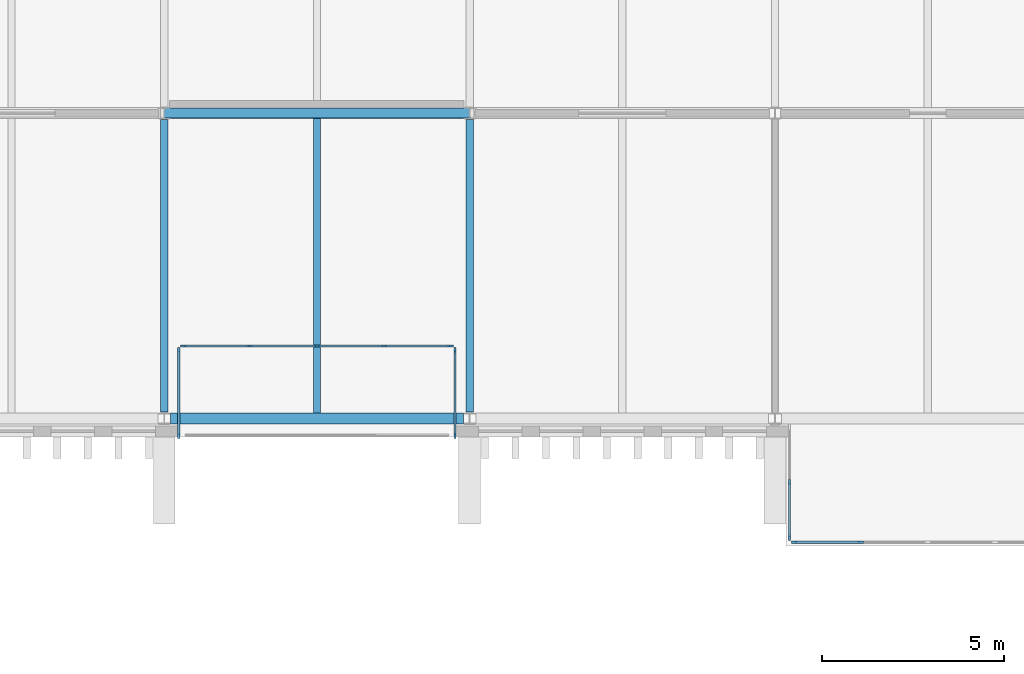
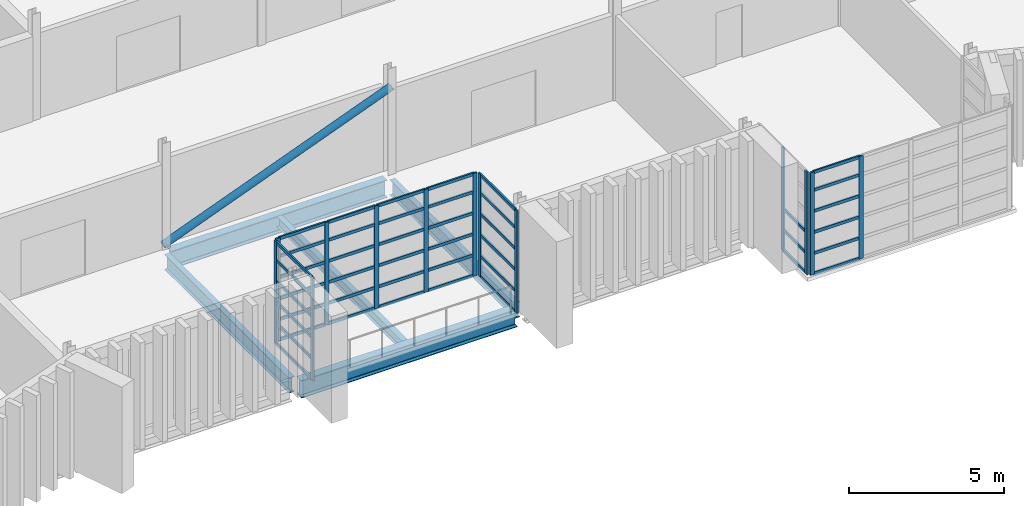
# One storey, part 22 of 100: 59 members, 5 beams, 5 elements without a shape of their own.
"""IFC4 building model written with IfcOpenShell, lengths in metres."""

from ifc_helpers import new_model, si_unit, direction, frame, origin, origin_2d, place, context, subcontext, project, spatial, rectangle, hollow_circle, i_section, extrude, material, layer, layer_set, material_profile, profile_set, type_object, element, aggregate, save


model = new_model("IFC4")

# Units and contexts
model_context = context("Model", 3, precision=1e-05, world=origin(), true_north=direction((0.0, 1.0)))
body_context = subcontext(model_context, "Body", "Model", "MODEL_VIEW")
ifc_project = project(units=[si_unit("LENGTHUNIT", "METRE"), si_unit("AREAUNIT", "SQUARE_METRE"), si_unit("VOLUMEUNIT", "CUBIC_METRE"), si_unit("PLANEANGLEUNIT", "RADIAN"), si_unit("MASSUNIT", "GRAM", prefix="KILO")], contexts=[model_context])

# Site, building, storey
site_placement = place(None, origin())
site = spatial("IfcSite", under=ifc_project, at=site_placement, CompositionType="ELEMENT")
building_placement = place(site_placement, origin())
building = spatial("IfcBuilding", under=site, at=building_placement, Name="Cresset Court Congress Hotel", CompositionType="ELEMENT")
storey_placement = place(building_placement, frame((0.0, 0.0, 10.199951171875)))
storey = spatial("IfcBuildingStorey", under=building, at=storey_placement, Name="L02", CompositionType="ELEMENT", Elevation=10.199951171875)

# Curtain wall, members
ifc_material_1 = material(Name="Aluminium frame with double glazing", Category="aluminium")
ifc_layer = layer(ifc_material_1, 0.199951171875)
ifc_layer_set = layer_set([ifc_layer], Name="Glazed box curtain wall 1680 module")
curtain_wall_type = type_object("IfcCurtainWallType", Name="Glazed box curtain wall 1680 module", PredefinedType="NOTDEFINED", material=ifc_layer_set)
curtain_wall_1_placement = place(storey_placement, origin())
curtain_wall_1 = element("IfcCurtainWall", 1, at=curtain_wall_1_placement, inside=storey, type_object=curtain_wall_type, Name="Glazed box S0210 front", PredefinedType="NOTDEFINED")
ifc_material_2 = material(Name="Aluminium", Category="aluminium")
ifc_material_profile_1 = material_profile(ifc_material_2, rectangle(XDim=0.06005859375, YDim=0.159912109375, at=origin_2d()), Name="Box mullion 60x160")
ifc_profile_set_1 = profile_set([ifc_material_profile_1], Name="Aluminium")
member_type_1 = type_object("IfcMemberType", Name="Box mullion 60x160", PredefinedType="MULLION", material=ifc_profile_set_1)
member_1_placement = place(storey_placement, frame((76.1298828125, 2.0, 0.0), z_axis=(0.0, 0.0, 1.0), x_axis=(0.0, 1.0, 0.0)))
member_1 = element("IfcMember", 2, at=member_1_placement, type_object=member_type_1, Name="B-X1 mullion 1", PredefinedType="MULLION", context=body_context, shape_type="SweptSolid", body=[
    extrude(rectangle(XDim=0.06005859375, YDim=0.159912109375, at=origin_2d()), origin(), (0.0, 0.0, 1.0), 4.050048828125),
])
member_2_placement = place(storey_placement, frame((77.949951171875, 2.0, 0.0), z_axis=(0.0, 0.0, 1.0), x_axis=(0.0, 1.0, 0.0)))
member_2 = element("IfcMember", 3, at=member_2_placement, type_object=member_type_1, Name="B-X1 mullion 2", PredefinedType="MULLION", context=body_context, shape_type="SweptSolid", body=[
    extrude(rectangle(XDim=0.06005859375, YDim=0.159912109375, at=origin_2d()), origin(), (0.0, 0.0, 1.0), 4.050048828125),
])
member_3_placement = place(storey_placement, frame((79.800048828125, 2.0, 0.0), z_axis=(0.0, 0.0, 1.0), x_axis=(0.0, 1.0, 0.0)))
member_3 = element("IfcMember", 4, at=member_3_placement, type_object=member_type_1, Name="B-X1 mullion 3", PredefinedType="MULLION", context=body_context, shape_type="SweptSolid", body=[
    extrude(rectangle(XDim=0.06005859375, YDim=0.159912109375, at=origin_2d()), origin(), (0.0, 0.0, 1.0), 4.050048828125),
])
member_4_placement = place(storey_placement, frame((81.64990234375, 2.0, 0.0), z_axis=(0.0, 0.0, 1.0), x_axis=(0.0, 1.0, 0.0)))
member_4 = element("IfcMember", 5, at=member_4_placement, type_object=member_type_1, Name="B-X1 mullion 4", PredefinedType="MULLION", context=body_context, shape_type="SweptSolid", body=[
    extrude(rectangle(XDim=0.06005859375, YDim=0.159912109375, at=origin_2d()), origin(), (0.0, 0.0, 1.0), 4.050048828125),
])
member_5_placement = place(storey_placement, frame((83.469970703125, 2.0, 0.0), z_axis=(0.0, 0.0, 1.0), x_axis=(0.0, 1.0, 0.0)))
member_5 = element("IfcMember", 6, at=member_5_placement, type_object=member_type_1, Name="B-X1 mullion 5", PredefinedType="MULLION", context=body_context, shape_type="SweptSolid", body=[
    extrude(rectangle(XDim=0.06005859375, YDim=0.159912109375, at=origin_2d()), origin(), (0.0, 0.0, 1.0), 4.050048828125),
])

curtain_wall_2_placement = place(storey_placement, origin())
curtain_wall_2 = element("IfcCurtainWall", 7, at=curtain_wall_2_placement, inside=storey, type_object=curtain_wall_type, Name="Glazed box S0210 side", PredefinedType="NOTDEFINED")
member_6_placement = place(storey_placement, frame((76.0, -0.469970703125, 0.0), z_axis=(0.0, 0.0, 1.0), x_axis=(-1.0, 0.0, 0.0)))
member_6 = element("IfcMember", 8, at=member_6_placement, type_object=member_type_1, Name="B-X1 mullion 1", PredefinedType="MULLION", context=body_context, shape_type="SweptSolid", body=[
    extrude(rectangle(XDim=0.06005859375, YDim=0.159912109375, at=origin_2d()), origin(), (0.0, 0.0, 1.0), 4.050048828125),
])
member_7_placement = place(storey_placement, frame((76.0, 1.8701171875, 0.0), z_axis=(0.0, 0.0, 1.0), x_axis=(-1.0, 0.0, 0.0)))
member_7 = element("IfcMember", 9, at=member_7_placement, type_object=member_type_1, Name="B-X1 mullion 2", PredefinedType="MULLION", context=body_context, shape_type="SweptSolid", body=[
    extrude(rectangle(XDim=0.06005859375, YDim=0.159912109375, at=origin_2d()), origin(), (0.0, 0.0, 1.0), 4.050048828125),
])

curtain_wall_3_placement = place(storey_placement, origin())
curtain_wall_3 = element("IfcCurtainWall", 10, at=curtain_wall_3_placement, inside=storey, type_object=curtain_wall_type, Name="Glazed box S0210 side", PredefinedType="NOTDEFINED")
member_8_placement = place(storey_placement, frame((83.60009765625, -0.469970703125, 0.0), z_axis=(0.0, 0.0, 1.0), x_axis=(-1.0, 0.0, 0.0)))
member_8 = element("IfcMember", 11, at=member_8_placement, type_object=member_type_1, Name="B-X1 mullion 1", PredefinedType="MULLION", context=body_context, shape_type="SweptSolid", body=[
    extrude(rectangle(XDim=0.06005859375, YDim=0.159912109375, at=origin_2d()), origin(), (0.0, 0.0, 1.0), 4.050048828125),
])
member_9_placement = place(storey_placement, frame((83.60009765625, 1.8701171875, 0.0), z_axis=(0.0, 0.0, 1.0), x_axis=(-1.0, 0.0, 0.0)))
member_9 = element("IfcMember", 12, at=member_9_placement, type_object=member_type_1, Name="B-X1 mullion 2", PredefinedType="MULLION", context=body_context, shape_type="SweptSolid", body=[
    extrude(rectangle(XDim=0.06005859375, YDim=0.159912109375, at=origin_2d()), origin(), (0.0, 0.0, 1.0), 4.050048828125),
])

curtain_wall_4_placement = place(storey_placement, origin())
curtain_wall_4 = element("IfcCurtainWall", 13, at=curtain_wall_4_placement, inside=storey, type_object=curtain_wall_type, Name="Glazed box S0213 front", PredefinedType="NOTDEFINED")
member_10_placement = place(storey_placement, frame((92.929931640625, -3.39990234375, 0.0), z_axis=(0.0, 0.0, 1.0), x_axis=(0.0, 1.0, 0.0)))
member_10 = element("IfcMember", 14, at=member_10_placement, type_object=member_type_1, Name="B-X1 mullion 1", PredefinedType="MULLION", context=body_context, shape_type="SweptSolid", body=[
    extrude(rectangle(XDim=0.06005859375, YDim=0.159912109375, at=origin_2d()), origin(), (0.0, 0.0, 1.0), 4.050048828125),
])
member_11_placement = place(storey_placement, frame((94.75, -3.39990234375, 0.0), z_axis=(0.0, 0.0, 1.0), x_axis=(0.0, 1.0, 0.0)))
member_11 = element("IfcMember", 15, at=member_11_placement, type_object=member_type_1, Name="B-X1 mullion 2", PredefinedType="MULLION", context=body_context, shape_type="SweptSolid", body=[
    extrude(rectangle(XDim=0.06005859375, YDim=0.159912109375, at=origin_2d()), origin(), (0.0, 0.0, 1.0), 4.050048828125),
])

curtain_wall_5_placement = place(storey_placement, origin())
curtain_wall_5 = element("IfcCurtainWall", 16, at=curtain_wall_5_placement, inside=storey, type_object=curtain_wall_type, Name="Glazed box S0213 side", PredefinedType="NOTDEFINED")
member_12_placement = place(storey_placement, frame((92.800048828125, -1.75, 0.0), z_axis=(0.0, 0.0, 1.0), x_axis=(1.0, 0.0, 0.0)))
member_12 = element("IfcMember", 17, at=member_12_placement, type_object=member_type_1, Name="B-X1 mullion 2", PredefinedType="MULLION", context=body_context, shape_type="SweptSolid", body=[
    extrude(rectangle(XDim=0.06005859375, YDim=0.159912109375, at=origin_2d()), origin(), (0.0, 0.0, 1.0), 4.050048828125),
])
member_13_placement = place(storey_placement, frame((92.800048828125, -3.27001953125, 0.0), z_axis=(0.0, 0.0, 1.0), x_axis=(1.0, 0.0, 0.0)))
member_13 = element("IfcMember", 18, at=member_13_placement, type_object=member_type_1, Name="B-X1 mullion 3", PredefinedType="MULLION", context=body_context, shape_type="SweptSolid", body=[
    extrude(rectangle(XDim=0.06005859375, YDim=0.159912109375, at=origin_2d()), origin(), (0.0, 0.0, 1.0), 4.050048828125),
])

# Member
ifc_material_3 = material(Name="Aluminium", Category="aluminium")
ifc_material_profile_2 = material_profile(ifc_material_3, rectangle(XDim=0.06005859375, YDim=0.1201171875, at=origin_2d()), Name="Box transom 60x120")
ifc_profile_set_2 = profile_set([ifc_material_profile_2], Name="Aluminium")
member_type_2 = type_object("IfcMemberType", Name="Box transom 60x120", PredefinedType="USERDEFINED", material=ifc_profile_set_2)
member_14_placement = place(storey_placement, frame((76.159912109375, 2.0, 0.030029296875), z_axis=(1.0, 0.0, 0.0), x_axis=(0.0, 1.0, 0.0)))
member_14 = element("IfcMember", 19, at=member_14_placement, type_object=member_type_2, Name="B-X1 transom 1.1", ObjectType="TRANSOM", PredefinedType="USERDEFINED", context=body_context, shape_type="SweptSolid", body=[
    extrude(rectangle(XDim=0.06005859375, YDim=0.1201171875, at=origin_2d()), origin(), (0.0, 0.0, 1.0), 1.760009765625),
])

member_15_placement = place(storey_placement, frame((76.159912109375, 2.0, 0.830078125), z_axis=(1.0, 0.0, 0.0), x_axis=(0.0, 1.0, 0.0)))
member_15 = element("IfcMember", 20, at=member_15_placement, type_object=member_type_2, Name="B-X1 transom 1.2", ObjectType="TRANSOM", PredefinedType="USERDEFINED", context=body_context, shape_type="SweptSolid", body=[
    extrude(rectangle(XDim=0.06005859375, YDim=0.1201171875, at=origin_2d()), origin(), (0.0, 0.0, 1.0), 1.760009765625),
])

member_16_placement = place(storey_placement, frame((76.159912109375, 2.0, 1.66015625), z_axis=(1.0, 0.0, 0.0), x_axis=(0.0, 1.0, 0.0)))
member_16 = element("IfcMember", 21, at=member_16_placement, type_object=member_type_2, Name="B-X1 transom 1.3", ObjectType="TRANSOM", PredefinedType="USERDEFINED", context=body_context, shape_type="SweptSolid", body=[
    extrude(rectangle(XDim=0.06005859375, YDim=0.1201171875, at=origin_2d()), origin(), (0.0, 0.0, 1.0), 1.760009765625),
])

member_17_placement = place(storey_placement, frame((76.159912109375, 2.0, 2.489990234375), z_axis=(1.0, 0.0, 0.0), x_axis=(0.0, 1.0, 0.0)))
member_17 = element("IfcMember", 22, at=member_17_placement, type_object=member_type_2, Name="B-X1 transom 1.4", ObjectType="TRANSOM", PredefinedType="USERDEFINED", context=body_context, shape_type="SweptSolid", body=[
    extrude(rectangle(XDim=0.06005859375, YDim=0.1201171875, at=origin_2d()), origin(), (0.0, 0.0, 1.0), 1.760009765625),
])

member_18_placement = place(storey_placement, frame((76.159912109375, 2.0, 3.320068359375), z_axis=(1.0, 0.0, 0.0), x_axis=(0.0, 1.0, 0.0)))
member_18 = element("IfcMember", 23, at=member_18_placement, type_object=member_type_2, Name="B-X1 transom 1.5", ObjectType="TRANSOM", PredefinedType="USERDEFINED", context=body_context, shape_type="SweptSolid", body=[
    extrude(rectangle(XDim=0.06005859375, YDim=0.1201171875, at=origin_2d()), origin(), (0.0, 0.0, 1.0), 1.760009765625),
])

member_19_placement = place(storey_placement, frame((76.159912109375, 2.0, 4.02001953125), z_axis=(1.0, 0.0, 0.0), x_axis=(0.0, 1.0, 0.0)))
member_19 = element("IfcMember", 24, at=member_19_placement, type_object=member_type_2, Name="B-X1 transom 1.6", ObjectType="TRANSOM", PredefinedType="USERDEFINED", context=body_context, shape_type="SweptSolid", body=[
    extrude(rectangle(XDim=0.06005859375, YDim=0.1201171875, at=origin_2d()), origin(), (0.0, 0.0, 1.0), 1.760009765625),
])

member_20_placement = place(storey_placement, frame((77.97998046875, 2.0, 0.030029296875), z_axis=(1.0, 0.0, 0.0), x_axis=(0.0, 1.0, 0.0)))
member_20 = element("IfcMember", 25, at=member_20_placement, type_object=member_type_2, Name="B-X1 transom 2.1", ObjectType="TRANSOM", PredefinedType="USERDEFINED", context=body_context, shape_type="SweptSolid", body=[
    extrude(rectangle(XDim=0.06005859375, YDim=0.1201171875, at=origin_2d()), origin(), (0.0, 0.0, 1.0), 1.7900390625),
])

member_21_placement = place(storey_placement, frame((77.97998046875, 2.0, 0.830078125), z_axis=(1.0, 0.0, 0.0), x_axis=(0.0, 1.0, 0.0)))
member_21 = element("IfcMember", 26, at=member_21_placement, type_object=member_type_2, Name="B-X1 transom 2.2", ObjectType="TRANSOM", PredefinedType="USERDEFINED", context=body_context, shape_type="SweptSolid", body=[
    extrude(rectangle(XDim=0.06005859375, YDim=0.1201171875, at=origin_2d()), origin(), (0.0, 0.0, 1.0), 1.7900390625),
])

member_22_placement = place(storey_placement, frame((77.97998046875, 2.0, 1.66015625), z_axis=(1.0, 0.0, 0.0), x_axis=(0.0, 1.0, 0.0)))
member_22 = element("IfcMember", 27, at=member_22_placement, type_object=member_type_2, Name="B-X1 transom 2.3", ObjectType="TRANSOM", PredefinedType="USERDEFINED", context=body_context, shape_type="SweptSolid", body=[
    extrude(rectangle(XDim=0.06005859375, YDim=0.1201171875, at=origin_2d()), origin(), (0.0, 0.0, 1.0), 1.7900390625),
])

member_23_placement = place(storey_placement, frame((77.97998046875, 2.0, 2.489990234375), z_axis=(1.0, 0.0, 0.0), x_axis=(0.0, 1.0, 0.0)))
member_23 = element("IfcMember", 28, at=member_23_placement, type_object=member_type_2, Name="B-X1 transom 2.4", ObjectType="TRANSOM", PredefinedType="USERDEFINED", context=body_context, shape_type="SweptSolid", body=[
    extrude(rectangle(XDim=0.06005859375, YDim=0.1201171875, at=origin_2d()), origin(), (0.0, 0.0, 1.0), 1.7900390625),
])

member_24_placement = place(storey_placement, frame((77.97998046875, 2.0, 3.320068359375), z_axis=(1.0, 0.0, 0.0), x_axis=(0.0, 1.0, 0.0)))
member_24 = element("IfcMember", 29, at=member_24_placement, type_object=member_type_2, Name="B-X1 transom 2.5", ObjectType="TRANSOM", PredefinedType="USERDEFINED", context=body_context, shape_type="SweptSolid", body=[
    extrude(rectangle(XDim=0.06005859375, YDim=0.1201171875, at=origin_2d()), origin(), (0.0, 0.0, 1.0), 1.7900390625),
])

member_25_placement = place(storey_placement, frame((77.97998046875, 2.0, 4.02001953125), z_axis=(1.0, 0.0, 0.0), x_axis=(0.0, 1.0, 0.0)))
member_25 = element("IfcMember", 30, at=member_25_placement, type_object=member_type_2, Name="B-X1 transom 2.6", ObjectType="TRANSOM", PredefinedType="USERDEFINED", context=body_context, shape_type="SweptSolid", body=[
    extrude(rectangle(XDim=0.06005859375, YDim=0.1201171875, at=origin_2d()), origin(), (0.0, 0.0, 1.0), 1.7900390625),
])

member_26_placement = place(storey_placement, frame((79.830078125, 2.0, 0.030029296875), z_axis=(1.0, 0.0, 0.0), x_axis=(0.0, 1.0, 0.0)))
member_26 = element("IfcMember", 31, at=member_26_placement, type_object=member_type_2, Name="B-X1 transom 3.1", ObjectType="TRANSOM", PredefinedType="USERDEFINED", context=body_context, shape_type="SweptSolid", body=[
    extrude(rectangle(XDim=0.06005859375, YDim=0.1201171875, at=origin_2d()), origin(), (0.0, 0.0, 1.0), 1.7900390625),
])

member_27_placement = place(storey_placement, frame((79.830078125, 2.0, 0.830078125), z_axis=(1.0, 0.0, 0.0), x_axis=(0.0, 1.0, 0.0)))
member_27 = element("IfcMember", 32, at=member_27_placement, type_object=member_type_2, Name="B-X1 transom 3.2", ObjectType="TRANSOM", PredefinedType="USERDEFINED", context=body_context, shape_type="SweptSolid", body=[
    extrude(rectangle(XDim=0.06005859375, YDim=0.1201171875, at=origin_2d()), origin(), (0.0, 0.0, 1.0), 1.7900390625),
])

member_28_placement = place(storey_placement, frame((79.830078125, 2.0, 1.66015625), z_axis=(1.0, 0.0, 0.0), x_axis=(0.0, 1.0, 0.0)))
member_28 = element("IfcMember", 33, at=member_28_placement, type_object=member_type_2, Name="B-X1 transom 3.3", ObjectType="TRANSOM", PredefinedType="USERDEFINED", context=body_context, shape_type="SweptSolid", body=[
    extrude(rectangle(XDim=0.06005859375, YDim=0.1201171875, at=origin_2d()), origin(), (0.0, 0.0, 1.0), 1.7900390625),
])

member_29_placement = place(storey_placement, frame((79.830078125, 2.0, 2.489990234375), z_axis=(1.0, 0.0, 0.0), x_axis=(0.0, 1.0, 0.0)))
member_29 = element("IfcMember", 34, at=member_29_placement, type_object=member_type_2, Name="B-X1 transom 3.4", ObjectType="TRANSOM", PredefinedType="USERDEFINED", context=body_context, shape_type="SweptSolid", body=[
    extrude(rectangle(XDim=0.06005859375, YDim=0.1201171875, at=origin_2d()), origin(), (0.0, 0.0, 1.0), 1.7900390625),
])

member_30_placement = place(storey_placement, frame((79.830078125, 2.0, 3.320068359375), z_axis=(1.0, 0.0, 0.0), x_axis=(0.0, 1.0, 0.0)))
member_30 = element("IfcMember", 35, at=member_30_placement, type_object=member_type_2, Name="B-X1 transom 3.5", ObjectType="TRANSOM", PredefinedType="USERDEFINED", context=body_context, shape_type="SweptSolid", body=[
    extrude(rectangle(XDim=0.06005859375, YDim=0.1201171875, at=origin_2d()), origin(), (0.0, 0.0, 1.0), 1.7900390625),
])

member_31_placement = place(storey_placement, frame((79.830078125, 2.0, 4.02001953125), z_axis=(1.0, 0.0, 0.0), x_axis=(0.0, 1.0, 0.0)))
member_31 = element("IfcMember", 36, at=member_31_placement, type_object=member_type_2, Name="B-X1 transom 3.6", ObjectType="TRANSOM", PredefinedType="USERDEFINED", context=body_context, shape_type="SweptSolid", body=[
    extrude(rectangle(XDim=0.06005859375, YDim=0.1201171875, at=origin_2d()), origin(), (0.0, 0.0, 1.0), 1.7900390625),
])

member_32_placement = place(storey_placement, frame((81.679931640625, 2.0, 0.030029296875), z_axis=(1.0, 0.0, 0.0), x_axis=(0.0, 1.0, 0.0)))
member_32 = element("IfcMember", 37, at=member_32_placement, type_object=member_type_2, Name="B-X1 transom 4.1", ObjectType="TRANSOM", PredefinedType="USERDEFINED", context=body_context, shape_type="SweptSolid", body=[
    extrude(rectangle(XDim=0.06005859375, YDim=0.1201171875, at=origin_2d()), origin(), (0.0, 0.0, 1.0), 1.760009765625),
])

member_33_placement = place(storey_placement, frame((81.679931640625, 2.0, 0.830078125), z_axis=(1.0, 0.0, 0.0), x_axis=(0.0, 1.0, 0.0)))
member_33 = element("IfcMember", 38, at=member_33_placement, type_object=member_type_2, Name="B-X1 transom 4.2", ObjectType="TRANSOM", PredefinedType="USERDEFINED", context=body_context, shape_type="SweptSolid", body=[
    extrude(rectangle(XDim=0.06005859375, YDim=0.1201171875, at=origin_2d()), origin(), (0.0, 0.0, 1.0), 1.760009765625),
])

member_34_placement = place(storey_placement, frame((81.679931640625, 2.0, 1.66015625), z_axis=(1.0, 0.0, 0.0), x_axis=(0.0, 1.0, 0.0)))
member_34 = element("IfcMember", 39, at=member_34_placement, type_object=member_type_2, Name="B-X1 transom 4.3", ObjectType="TRANSOM", PredefinedType="USERDEFINED", context=body_context, shape_type="SweptSolid", body=[
    extrude(rectangle(XDim=0.06005859375, YDim=0.1201171875, at=origin_2d()), origin(), (0.0, 0.0, 1.0), 1.760009765625),
])

member_35_placement = place(storey_placement, frame((81.679931640625, 2.0, 2.489990234375), z_axis=(1.0, 0.0, 0.0), x_axis=(0.0, 1.0, 0.0)))
member_35 = element("IfcMember", 40, at=member_35_placement, type_object=member_type_2, Name="B-X1 transom 4.4", ObjectType="TRANSOM", PredefinedType="USERDEFINED", context=body_context, shape_type="SweptSolid", body=[
    extrude(rectangle(XDim=0.06005859375, YDim=0.1201171875, at=origin_2d()), origin(), (0.0, 0.0, 1.0), 1.760009765625),
])

member_36_placement = place(storey_placement, frame((81.679931640625, 2.0, 3.320068359375), z_axis=(1.0, 0.0, 0.0), x_axis=(0.0, 1.0, 0.0)))
member_36 = element("IfcMember", 41, at=member_36_placement, type_object=member_type_2, Name="B-X1 transom 4.5", ObjectType="TRANSOM", PredefinedType="USERDEFINED", context=body_context, shape_type="SweptSolid", body=[
    extrude(rectangle(XDim=0.06005859375, YDim=0.1201171875, at=origin_2d()), origin(), (0.0, 0.0, 1.0), 1.760009765625),
])

member_37_placement = place(storey_placement, frame((81.679931640625, 2.0, 4.02001953125), z_axis=(1.0, 0.0, 0.0), x_axis=(0.0, 1.0, 0.0)))
member_37 = element("IfcMember", 42, at=member_37_placement, type_object=member_type_2, Name="B-X1 transom 4.6", ObjectType="TRANSOM", PredefinedType="USERDEFINED", context=body_context, shape_type="SweptSolid", body=[
    extrude(rectangle(XDim=0.06005859375, YDim=0.1201171875, at=origin_2d()), origin(), (0.0, 0.0, 1.0), 1.760009765625),
])

aggregate(curtain_wall_1, [member_1, member_2, member_3, member_4, member_5, member_14, member_15, member_16, member_17, member_18, member_19, member_20, member_21, member_22, member_23, member_24, member_25, member_26, member_27, member_28, member_29, member_30, member_31, member_32, member_33, member_34, member_35, member_36, member_37])

member_38_placement = place(storey_placement, frame((76.0, -0.43994140625, 0.030029296875), z_axis=(0.0, 1.0, 0.0), x_axis=(-1.0, 0.0, 0.0)))
member_38 = element("IfcMember", 43, at=member_38_placement, type_object=member_type_2, Name="B-X1 transom 1.1", ObjectType="TRANSOM", PredefinedType="USERDEFINED", context=body_context, shape_type="SweptSolid", body=[
    extrude(rectangle(XDim=0.06005859375, YDim=0.1201171875, at=origin_2d()), origin(), (0.0, 0.0, 1.0), 2.280029296875),
])

member_39_placement = place(storey_placement, frame((76.0, -0.43994140625, 0.830078125), z_axis=(0.0, 1.0, 0.0), x_axis=(-1.0, 0.0, 0.0)))
member_39 = element("IfcMember", 44, at=member_39_placement, type_object=member_type_2, Name="B-X1 transom 1.2", ObjectType="TRANSOM", PredefinedType="USERDEFINED", context=body_context, shape_type="SweptSolid", body=[
    extrude(rectangle(XDim=0.06005859375, YDim=0.1201171875, at=origin_2d()), origin(), (0.0, 0.0, 1.0), 2.280029296875),
])

member_40_placement = place(storey_placement, frame((76.0, -0.43994140625, 1.66015625), z_axis=(0.0, 1.0, 0.0), x_axis=(-1.0, 0.0, 0.0)))
member_40 = element("IfcMember", 45, at=member_40_placement, type_object=member_type_2, Name="B-X1 transom 1.3", ObjectType="TRANSOM", PredefinedType="USERDEFINED", context=body_context, shape_type="SweptSolid", body=[
    extrude(rectangle(XDim=0.06005859375, YDim=0.1201171875, at=origin_2d()), origin(), (0.0, 0.0, 1.0), 2.280029296875),
])

member_41_placement = place(storey_placement, frame((76.0, -0.43994140625, 2.489990234375), z_axis=(0.0, 1.0, 0.0), x_axis=(-1.0, 0.0, 0.0)))
member_41 = element("IfcMember", 46, at=member_41_placement, type_object=member_type_2, Name="B-X1 transom 1.4", ObjectType="TRANSOM", PredefinedType="USERDEFINED", context=body_context, shape_type="SweptSolid", body=[
    extrude(rectangle(XDim=0.06005859375, YDim=0.1201171875, at=origin_2d()), origin(), (0.0, 0.0, 1.0), 2.280029296875),
])

member_42_placement = place(storey_placement, frame((76.0, -0.43994140625, 3.320068359375), z_axis=(0.0, 1.0, 0.0), x_axis=(-1.0, 0.0, 0.0)))
member_42 = element("IfcMember", 47, at=member_42_placement, type_object=member_type_2, Name="B-X1 transom 1.5", ObjectType="TRANSOM", PredefinedType="USERDEFINED", context=body_context, shape_type="SweptSolid", body=[
    extrude(rectangle(XDim=0.06005859375, YDim=0.1201171875, at=origin_2d()), origin(), (0.0, 0.0, 1.0), 2.280029296875),
])

member_43_placement = place(storey_placement, frame((76.0, -0.43994140625, 4.02001953125), z_axis=(0.0, 1.0, 0.0), x_axis=(-1.0, 0.0, 0.0)))
member_43 = element("IfcMember", 48, at=member_43_placement, type_object=member_type_2, Name="B-X1 transom 1.6", ObjectType="TRANSOM", PredefinedType="USERDEFINED", context=body_context, shape_type="SweptSolid", body=[
    extrude(rectangle(XDim=0.06005859375, YDim=0.1201171875, at=origin_2d()), origin(), (0.0, 0.0, 1.0), 2.280029296875),
])

aggregate(curtain_wall_2, [member_6, member_7, member_38, member_39, member_40, member_41, member_42, member_43])

member_44_placement = place(storey_placement, frame((83.60009765625, -0.43994140625, 0.030029296875), z_axis=(0.0, 1.0, 0.0), x_axis=(-1.0, 0.0, 0.0)))
member_44 = element("IfcMember", 49, at=member_44_placement, type_object=member_type_2, Name="B-X1 transom 1.1", ObjectType="TRANSOM", PredefinedType="USERDEFINED", context=body_context, shape_type="SweptSolid", body=[
    extrude(rectangle(XDim=0.06005859375, YDim=0.1201171875, at=origin_2d()), origin(), (0.0, 0.0, 1.0), 2.280029296875),
])

member_45_placement = place(storey_placement, frame((83.60009765625, -0.43994140625, 0.830078125), z_axis=(0.0, 1.0, 0.0), x_axis=(-1.0, 0.0, 0.0)))
member_45 = element("IfcMember", 50, at=member_45_placement, type_object=member_type_2, Name="B-X1 transom 1.2", ObjectType="TRANSOM", PredefinedType="USERDEFINED", context=body_context, shape_type="SweptSolid", body=[
    extrude(rectangle(XDim=0.06005859375, YDim=0.1201171875, at=origin_2d()), origin(), (0.0, 0.0, 1.0), 2.280029296875),
])

member_46_placement = place(storey_placement, frame((83.60009765625, -0.43994140625, 1.66015625), z_axis=(0.0, 1.0, 0.0), x_axis=(-1.0, 0.0, 0.0)))
member_46 = element("IfcMember", 51, at=member_46_placement, type_object=member_type_2, Name="B-X1 transom 1.3", ObjectType="TRANSOM", PredefinedType="USERDEFINED", context=body_context, shape_type="SweptSolid", body=[
    extrude(rectangle(XDim=0.06005859375, YDim=0.1201171875, at=origin_2d()), origin(), (0.0, 0.0, 1.0), 2.280029296875),
])

member_47_placement = place(storey_placement, frame((83.60009765625, -0.43994140625, 2.489990234375), z_axis=(0.0, 1.0, 0.0), x_axis=(-1.0, 0.0, 0.0)))
member_47 = element("IfcMember", 52, at=member_47_placement, type_object=member_type_2, Name="B-X1 transom 1.4", ObjectType="TRANSOM", PredefinedType="USERDEFINED", context=body_context, shape_type="SweptSolid", body=[
    extrude(rectangle(XDim=0.06005859375, YDim=0.1201171875, at=origin_2d()), origin(), (0.0, 0.0, 1.0), 2.280029296875),
])

member_48_placement = place(storey_placement, frame((83.60009765625, -0.43994140625, 3.320068359375), z_axis=(0.0, 1.0, 0.0), x_axis=(-1.0, 0.0, 0.0)))
member_48 = element("IfcMember", 53, at=member_48_placement, type_object=member_type_2, Name="B-X1 transom 1.5", ObjectType="TRANSOM", PredefinedType="USERDEFINED", context=body_context, shape_type="SweptSolid", body=[
    extrude(rectangle(XDim=0.06005859375, YDim=0.1201171875, at=origin_2d()), origin(), (0.0, 0.0, 1.0), 2.280029296875),
])

member_49_placement = place(storey_placement, frame((83.60009765625, -0.43994140625, 4.02001953125), z_axis=(0.0, 1.0, 0.0), x_axis=(-1.0, 0.0, 0.0)))
member_49 = element("IfcMember", 54, at=member_49_placement, type_object=member_type_2, Name="B-X1 transom 1.6", ObjectType="TRANSOM", PredefinedType="USERDEFINED", context=body_context, shape_type="SweptSolid", body=[
    extrude(rectangle(XDim=0.06005859375, YDim=0.1201171875, at=origin_2d()), origin(), (0.0, 0.0, 1.0), 2.280029296875),
])

aggregate(curtain_wall_3, [member_8, member_9, member_44, member_45, member_46, member_47, member_48, member_49])

member_50_placement = place(storey_placement, frame((92.9599609375, -3.39990234375, 0.030029296875), z_axis=(1.0, 0.0, 0.0), x_axis=(0.0, 1.0, 0.0)))
member_50 = element("IfcMember", 55, at=member_50_placement, type_object=member_type_2, Name="B-X1 transom 1.1", ObjectType="TRANSOM", PredefinedType="USERDEFINED", context=body_context, shape_type="SweptSolid", body=[
    extrude(rectangle(XDim=0.06005859375, YDim=0.1201171875, at=origin_2d()), origin(), (0.0, 0.0, 1.0), 1.760009765625),
])

member_51_placement = place(storey_placement, frame((92.9599609375, -3.39990234375, 0.830078125), z_axis=(1.0, 0.0, 0.0), x_axis=(0.0, 1.0, 0.0)))
member_51 = element("IfcMember", 56, at=member_51_placement, type_object=member_type_2, Name="B-X1 transom 1.2", ObjectType="TRANSOM", PredefinedType="USERDEFINED", context=body_context, shape_type="SweptSolid", body=[
    extrude(rectangle(XDim=0.06005859375, YDim=0.1201171875, at=origin_2d()), origin(), (0.0, 0.0, 1.0), 1.760009765625),
])

member_52_placement = place(storey_placement, frame((92.9599609375, -3.39990234375, 1.66015625), z_axis=(1.0, 0.0, 0.0), x_axis=(0.0, 1.0, 0.0)))
member_52 = element("IfcMember", 57, at=member_52_placement, type_object=member_type_2, Name="B-X1 transom 1.3", ObjectType="TRANSOM", PredefinedType="USERDEFINED", context=body_context, shape_type="SweptSolid", body=[
    extrude(rectangle(XDim=0.06005859375, YDim=0.1201171875, at=origin_2d()), origin(), (0.0, 0.0, 1.0), 1.760009765625),
])

member_53_placement = place(storey_placement, frame((92.9599609375, -3.39990234375, 2.489990234375), z_axis=(1.0, 0.0, 0.0), x_axis=(0.0, 1.0, 0.0)))
member_53 = element("IfcMember", 58, at=member_53_placement, type_object=member_type_2, Name="B-X1 transom 1.4", ObjectType="TRANSOM", PredefinedType="USERDEFINED", context=body_context, shape_type="SweptSolid", body=[
    extrude(rectangle(XDim=0.06005859375, YDim=0.1201171875, at=origin_2d()), origin(), (0.0, 0.0, 1.0), 1.760009765625),
])

member_54_placement = place(storey_placement, frame((92.9599609375, -3.39990234375, 3.320068359375), z_axis=(1.0, 0.0, 0.0), x_axis=(0.0, 1.0, 0.0)))
member_54 = element("IfcMember", 59, at=member_54_placement, type_object=member_type_2, Name="B-X1 transom 1.5", ObjectType="TRANSOM", PredefinedType="USERDEFINED", context=body_context, shape_type="SweptSolid", body=[
    extrude(rectangle(XDim=0.06005859375, YDim=0.1201171875, at=origin_2d()), origin(), (0.0, 0.0, 1.0), 1.760009765625),
])

member_55_placement = place(storey_placement, frame((92.9599609375, -3.39990234375, 4.02001953125), z_axis=(1.0, 0.0, 0.0), x_axis=(0.0, 1.0, 0.0)))
member_55 = element("IfcMember", 60, at=member_55_placement, type_object=member_type_2, Name="B-X1 transom 1.6", ObjectType="TRANSOM", PredefinedType="USERDEFINED", context=body_context, shape_type="SweptSolid", body=[
    extrude(rectangle(XDim=0.06005859375, YDim=0.1201171875, at=origin_2d()), origin(), (0.0, 0.0, 1.0), 1.760009765625),
])

aggregate(curtain_wall_4, [member_10, member_11, member_50, member_51, member_52, member_53, member_54, member_55])

member_56_placement = place(storey_placement, frame((92.800048828125, -1.780029296875, 0.030029296875), z_axis=(0.0, -1.0, 0.0), x_axis=(1.0, 0.0, 0.0)))
member_56 = element("IfcMember", 61, at=member_56_placement, type_object=member_type_2, Name="B-X1 transom 2.1", ObjectType="TRANSOM", PredefinedType="USERDEFINED", context=body_context, shape_type="SweptSolid", body=[
    extrude(rectangle(XDim=0.06005859375, YDim=0.1201171875, at=origin_2d()), origin(), (0.0, 0.0, 1.0), 1.4599609375),
])

member_57_placement = place(storey_placement, frame((92.800048828125, -1.780029296875, 0.830078125), z_axis=(0.0, -1.0, 0.0), x_axis=(1.0, 0.0, 0.0)))
member_57 = element("IfcMember", 62, at=member_57_placement, type_object=member_type_2, Name="B-X1 transom 2.2", ObjectType="TRANSOM", PredefinedType="USERDEFINED", context=body_context, shape_type="SweptSolid", body=[
    extrude(rectangle(XDim=0.06005859375, YDim=0.1201171875, at=origin_2d()), origin(), (0.0, 0.0, 1.0), 1.4599609375),
])

member_58_placement = place(storey_placement, frame((92.800048828125, -1.780029296875, 1.66015625), z_axis=(0.0, -1.0, 0.0), x_axis=(1.0, 0.0, 0.0)))
member_58 = element("IfcMember", 63, at=member_58_placement, type_object=member_type_2, Name="B-X1 transom 2.3", ObjectType="TRANSOM", PredefinedType="USERDEFINED", context=body_context, shape_type="SweptSolid", body=[
    extrude(rectangle(XDim=0.06005859375, YDim=0.1201171875, at=origin_2d()), origin(), (0.0, 0.0, 1.0), 1.4599609375),
])

aggregate(curtain_wall_5, [member_12, member_13, member_56, member_57, member_58])

# Beams
ifc_material_4 = material(Name="Structural steel Q355B", Category="steel")
ifc_material_profile_3 = material_profile(ifc_material_4, i_section(OverallWidth=0.199951171875, OverallDepth=0.60009765625, WebThickness=0.010986328125, FlangeThickness=0.01708984375, FilletRadius=0.012939453125, at=origin_2d()), Name="HN600x200x11x17")
ifc_profile_set_3 = profile_set([ifc_material_profile_3], Name="Structural steel Q355B")
beam_type_1 = type_object("IfcBeamType", Name="Steel beam HN600x200x11x17", PredefinedType="BEAM", material=ifc_profile_set_3)
for number, where, z_axis, x_axis, name in (
    (64, (75.60009765625, 0.175048828125, -0.449951171875), (0.0, 1.0, 0.0), (-1.0, 0.0, 0.0), "B.by.L02.10A"),
    (65, (84.0, 0.175048828125, -0.449951171875), (0.0, 1.0, 0.0), (-1.0, 0.0, 0.0), "B.by.L02.11A"),
):
    element("IfcBeam", number, at=place(storey_placement, frame(where, z_axis=z_axis, x_axis=x_axis)), inside=storey, type_object=beam_type_1, Name=name, PredefinedType="BEAM", context=body_context, shape_type="SweptSolid", body=[
        extrude(i_section(OverallWidth=0.199951171875, OverallDepth=0.60009765625, WebThickness=0.010986328125, FlangeThickness=0.01708984375, FilletRadius=0.012939453125, at=origin_2d()), origin(), (0.0, 0.0, 1.0), 8.050048828125),
    ])
ifc_material_5 = material(Name="Structural steel Q355B", Category="steel")
ifc_material_profile_4 = material_profile(ifc_material_5, i_section(OverallWidth=0.300048828125, OverallDepth=0.699951171875, WebThickness=0.012939453125, FlangeThickness=0.02392578125, FilletRadius=0.01806640625, at=origin_2d()), Name="HN700x300x13x24")
ifc_profile_set_4 = profile_set([ifc_material_profile_4], Name="Structural steel Q355B")
beam_type_2 = type_object("IfcBeamType", Name="Steel beam HN700x300x13x24", PredefinedType="BEAM", material=ifc_profile_set_4)
for number, where, z_axis, x_axis, name in (
    (66, (75.77490234375, 0.0, -0.5), (1.0, 0.0, 0.0), (0.0, 1.0, 0.0), "B.bx.L02.A10"),
    (67, (75.77490234375, 8.39990234375, -0.5), (1.0, 0.0, 0.0), (0.0, 1.0, 0.0), "B.bx.L02.B10"),
):
    element("IfcBeam", number, at=place(storey_placement, frame(where, z_axis=z_axis, x_axis=x_axis)), inside=storey, type_object=beam_type_2, Name=name, PredefinedType="BEAM", context=body_context, shape_type="SweptSolid", body=[
        extrude(i_section(OverallWidth=0.300048828125, OverallDepth=0.699951171875, WebThickness=0.012939453125, FlangeThickness=0.02392578125, FilletRadius=0.01806640625, at=origin_2d()), origin(), (0.0, 0.0, 1.0), 8.050048828125),
    ])

# Member
ifc_material_6 = material(Name="Structural steel Q355B", Category="steel")
ifc_material_profile_5 = material_profile(ifc_material_6, hollow_circle(Radius=0.136474609375, WallThickness=0.011962890625, at=origin_2d()), Name="CHS273x12")
ifc_profile_set_5 = profile_set([ifc_material_profile_5], Name="Structural steel Q355B")
member_type_3 = type_object("IfcMemberType", Name="Steel brace CHS273x12", PredefinedType="BRACE", material=ifc_profile_set_5)
member_59_placement = place(storey_placement, frame((75.550048828125, 8.39990234375, 0.10009765625), z_axis=(0.933684557266, 0.0, 0.35809656173), x_axis=(0.0, 1.0, 0.0)))
element("IfcMember", 68, at=member_59_placement, inside=storey, type_object=member_type_3, Name="Brace L02 10", PredefinedType="BRACE", context=body_context, shape_type="SweptSolid", body=[
    extrude(hollow_circle(Radius=0.136474609375, WallThickness=0.011962890625, at=origin_2d()), origin(), (0.0, 0.0, 1.0), 9.103759765625),
])

# Beam
ifc_material_7 = material(Name="Structural steel Q355B", Category="steel")
ifc_material_profile_6 = material_profile(ifc_material_7, i_section(OverallWidth=0.199951171875, OverallDepth=0.39990234375, WebThickness=0.008056640625, FlangeThickness=0.012939453125, FilletRadius=0.01611328125, at=origin_2d()), Name="HN400x200x8x13")
ifc_profile_set_6 = profile_set([ifc_material_profile_6], Name="Structural steel Q355B")
beam_type_3 = type_object("IfcBeamType", Name="Steel joist HN400x200x8x13", PredefinedType="JOIST", material=ifc_profile_set_6)
beam_placement = place(storey_placement, frame((79.800048828125, 0.14990234375, -0.349853515625), z_axis=(0.0, 1.0, 0.0), x_axis=(-1.0, 0.0, 0.0)))
element("IfcBeam", 69, at=beam_placement, inside=storey, type_object=beam_type_3, Name="B.bj.L02.10A", PredefinedType="JOIST", context=body_context, shape_type="SweptSolid", body=[
    extrude(i_section(OverallWidth=0.199951171875, OverallDepth=0.39990234375, WebThickness=0.008056640625, FlangeThickness=0.012939453125, FilletRadius=0.01611328125, at=origin_2d()), origin(), (0.0, 0.0, 1.0), 8.10009765625),
])

save(model, "model.ifc")
